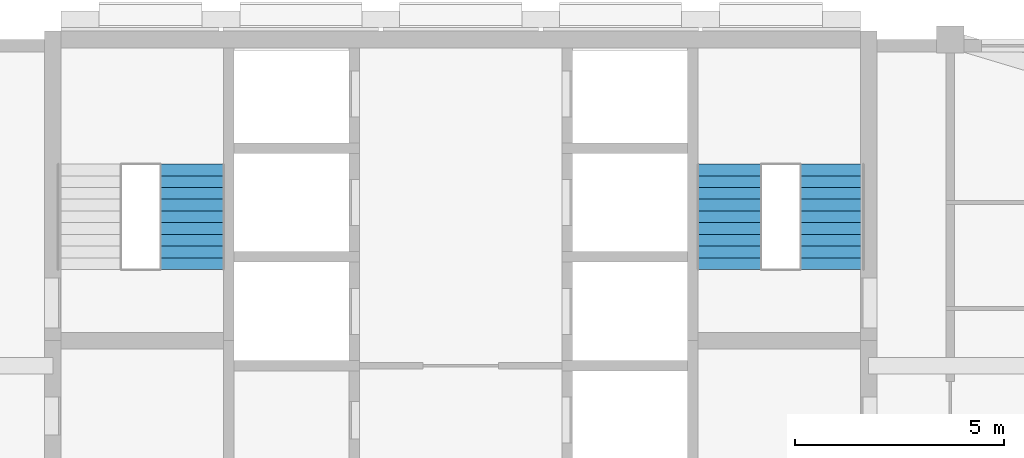
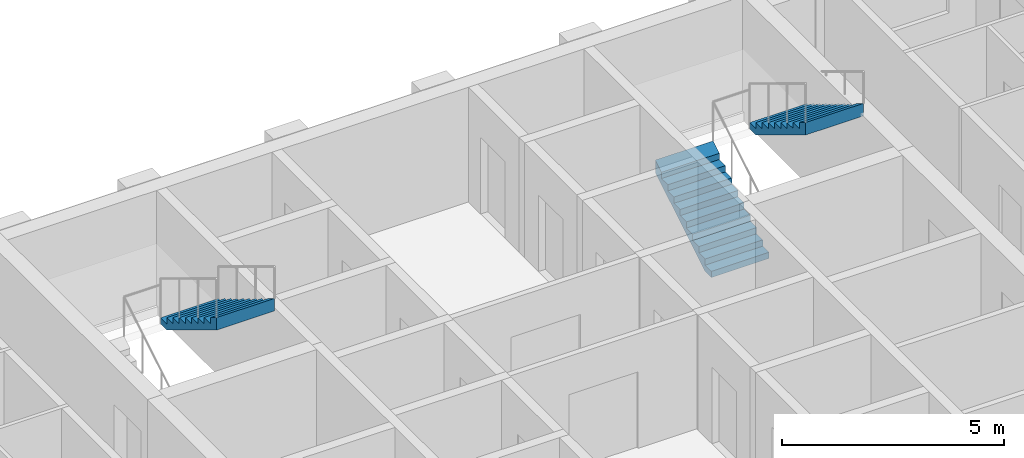
# One storey, part 11 of 13: 3 stair flights, 2 elements without a shape of their own.
"""IFC4 building model written with IfcOpenShell, lengths in metres."""

from ifc_helpers import new_model, si_unit, direction, frame, origin, place, context, subcontext, project, spatial, triangles, material, type_object, element, aggregate, save


model = new_model("IFC4")

# Units and contexts
model_context = context("Model", 3, precision=1e-05, world=origin(), true_north=direction((0.0, 1.0)))
body_context = subcontext(model_context, "Body", "Model", "MODEL_VIEW")
ifc_project = project(units=[si_unit("LENGTHUNIT", "METRE"), si_unit("AREAUNIT", "SQUARE_METRE"), si_unit("VOLUMEUNIT", "CUBIC_METRE"), si_unit("PLANEANGLEUNIT", "RADIAN"), si_unit("MASSUNIT", "GRAM", prefix="KILO")], contexts=[model_context])

# Site, building, storey
site_placement = place(None, origin())
site = spatial("IfcSite", under=ifc_project, at=site_placement, CompositionType="ELEMENT")
building_placement = place(site_placement, origin())
building = spatial("IfcBuilding", under=site, at=building_placement, Name="Ludao Terraces", CompositionType="ELEMENT")
storey_placement = place(building_placement, frame((0.0, 0.0, 249.39990234375)))
storey = spatial("IfcBuildingStorey", under=building, at=storey_placement, Name="L68", CompositionType="ELEMENT", Elevation=249.39990234375)

# Stair, stair flight
ifc_material = material(Name="Concrete C40", Category="concrete")
stair_type = type_object("IfcStairType", Name="INT Stair", PredefinedType="HALF_TURN_STAIR", material=ifc_material)
stair_1_placement = place(storey_placement, origin())
stair_1 = element("IfcStair", 1, at=stair_1_placement, inside=storey, type_object=stair_type, Name="EXIT STAIR 1", PredefinedType="HALF_TURN_STAIR")
stair_flight_type = type_object("IfcStairFlightType", Name="INT Stair flight", PredefinedType="STRAIGHT", material=ifc_material)
stair_flight_1_placement = place(storey_placement, frame((78.574951171875, 81.52001953125, 1.7001953125), z_axis=(0.0, 0.0, 1.0), x_axis=(0.0, -1.0, 0.0)))
stair_flight_1 = element("IfcStairFlight", 2, at=stair_flight_1_placement, type_object=stair_flight_type, Name="ST1 flight 2", NumberOfRisers=10, NumberOfTreads=9, PredefinedType="STRAIGHT", RiserHeight=0.17, TreadLength=0.28, context=body_context, shape_type="Tessellation", body=[
    triangles([(0.0, -0.75, 0.0), (0.0, -0.5, 0.0), (0.0, -0.25, 0.0), (0.0, 0.0, 0.0), (0.0, 0.25, 0.0), (0.0, 0.5, 0.0), (0.0, 0.75, 0.0), (0.0, -0.75, 0.169921875), (0.0, -0.5, 0.169921875), (0.0, -0.25, 0.169921875), (0.0, 0.0, 0.169921875), (0.0, 0.25, 0.169921875), (0.0, 0.5, 0.169921875), (0.0, 0.75, 0.169921875), (0.280029296875, -0.75, 0.169921875), (0.280029296875, -0.5, 0.169921875), (0.280029296875, -0.25, 0.169921875), (0.280029296875, 0.0, 0.169921875), (0.280029296875, 0.25, 0.169921875), (0.280029296875, 0.5, 0.169921875), (0.280029296875, 0.75, 0.169921875), (0.280029296875, -0.75, 0.340087890625), (0.280029296875, -0.5, 0.340087890625), (0.280029296875, -0.25, 0.340087890625), (0.280029296875, 0.0, 0.340087890625), (0.280029296875, 0.25, 0.340087890625), (0.280029296875, 0.5, 0.340087890625), (0.280029296875, 0.75, 0.340087890625), (0.56005859375, -0.75, 0.340087890625), (0.56005859375, -0.5, 0.340087890625), (0.56005859375, -0.25, 0.340087890625), (0.56005859375, 0.0, 0.340087890625), (0.56005859375, 0.25, 0.340087890625), (0.56005859375, 0.5, 0.340087890625), (0.56005859375, 0.75, 0.340087890625), (0.56005859375, -0.75, 0.510009765625), (0.56005859375, -0.5, 0.510009765625), (0.56005859375, -0.25, 0.510009765625), (0.56005859375, 0.0, 0.510009765625), (0.56005859375, 0.25, 0.510009765625), (0.56005859375, 0.5, 0.510009765625), (0.56005859375, 0.75, 0.510009765625), (0.840087890625, -0.75, 0.510009765625), (0.840087890625, -0.5, 0.510009765625), (0.840087890625, -0.25, 0.510009765625), (0.840087890625, 0.0, 0.510009765625), (0.840087890625, 0.25, 0.510009765625), (0.840087890625, 0.5, 0.510009765625), (0.840087890625, 0.75, 0.510009765625), (0.840087890625, -0.75, 0.679931640625), (0.840087890625, -0.5, 0.679931640625), (0.840087890625, -0.25, 0.679931640625), (0.840087890625, 0.0, 0.679931640625), (0.840087890625, 0.25, 0.679931640625), (0.840087890625, 0.5, 0.679931640625), (0.840087890625, 0.75, 0.679931640625), (1.1201171875, -0.75, 0.679931640625), (1.1201171875, -0.5, 0.679931640625), (1.1201171875, -0.25, 0.679931640625), (1.1201171875, 0.0, 0.679931640625), (1.1201171875, 0.25, 0.679931640625), (1.1201171875, 0.5, 0.679931640625), (1.1201171875, 0.75, 0.679931640625), (1.1201171875, -0.75, 0.85009765625), (1.1201171875, -0.5, 0.85009765625), (1.1201171875, -0.25, 0.85009765625), (1.1201171875, 0.0, 0.85009765625), (1.1201171875, 0.25, 0.85009765625), (1.1201171875, 0.5, 0.85009765625), (1.1201171875, 0.75, 0.85009765625), (1.39990234375, -0.75, 0.85009765625), (1.39990234375, -0.5, 0.85009765625), (1.39990234375, -0.25, 0.85009765625), (1.39990234375, 0.0, 0.85009765625), (1.39990234375, 0.25, 0.85009765625), (1.39990234375, 0.5, 0.85009765625), (1.39990234375, 0.75, 0.85009765625), (1.39990234375, -0.75, 1.02001953125), (1.39990234375, -0.5, 1.02001953125), (1.39990234375, -0.25, 1.02001953125), (1.39990234375, 0.0, 1.02001953125), (1.39990234375, 0.25, 1.02001953125), (1.39990234375, 0.5, 1.02001953125), (1.39990234375, 0.75, 1.02001953125), (1.679931640625, -0.75, 1.02001953125), (1.679931640625, -0.5, 1.02001953125), (1.679931640625, -0.25, 1.02001953125), (1.679931640625, 0.0, 1.02001953125), (1.679931640625, 0.25, 1.02001953125), (1.679931640625, 0.5, 1.02001953125), (1.679931640625, 0.75, 1.02001953125), (1.679931640625, -0.75, 1.18994140625), (1.679931640625, -0.5, 1.18994140625), (1.679931640625, -0.25, 1.18994140625), (1.679931640625, 0.0, 1.18994140625), (1.679931640625, 0.25, 1.18994140625), (1.679931640625, 0.5, 1.18994140625), (1.679931640625, 0.75, 1.18994140625), (1.9599609375, -0.75, 1.18994140625), (1.9599609375, -0.5, 1.18994140625), (1.9599609375, -0.25, 1.18994140625), (1.9599609375, 0.0, 1.18994140625), (1.9599609375, 0.25, 1.18994140625), (1.9599609375, 0.5, 1.18994140625), (1.9599609375, 0.75, 1.18994140625), (1.9599609375, -0.75, 1.360107421875), (1.9599609375, -0.5, 1.360107421875), (1.9599609375, -0.25, 1.360107421875), (1.9599609375, 0.0, 1.360107421875), (1.9599609375, 0.25, 1.360107421875), (1.9599609375, 0.5, 1.360107421875), (1.9599609375, 0.75, 1.360107421875), (2.239990234375, -0.75, 1.360107421875), (2.239990234375, -0.5, 1.360107421875), (2.239990234375, -0.25, 1.360107421875), (2.239990234375, 0.0, 1.360107421875), (2.239990234375, 0.25, 1.360107421875), (2.239990234375, 0.5, 1.360107421875), (2.239990234375, 0.75, 1.360107421875), (2.239990234375, -0.75, 1.530029296875), (2.239990234375, -0.5, 1.530029296875), (2.239990234375, -0.25, 1.530029296875), (2.239990234375, 0.0, 1.530029296875), (2.239990234375, 0.25, 1.530029296875), (2.239990234375, 0.5, 1.530029296875), (2.239990234375, 0.75, 1.530029296875), (2.52001953125, -0.75, 1.699951171875), (2.52001953125, -0.5, 1.699951171875), (2.52001953125, -0.25, 1.699951171875), (2.52001953125, 0.0, 1.699951171875), (2.52001953125, 0.25, 1.699951171875), (2.52001953125, 0.5, 1.699951171875), (2.52001953125, 0.75, 1.699951171875), (2.52001953125, -0.75, 1.354736328125), (2.52001953125, -0.5, 1.354736328125), (2.52001953125, -0.25, 1.354736328125), (2.52001953125, 0.0, 1.354736328125), (2.52001953125, 0.25, 1.354736328125), (2.52001953125, 0.5, 1.354736328125), (2.52001953125, 0.75, 1.354736328125), (0.288818359375, -0.75, 0.0), (0.288818359375, -0.5, 0.0), (0.288818359375, -0.25, 0.0), (0.288818359375, 0.0, 0.0), (0.288818359375, 0.25, 0.0), (0.288818359375, 0.5, 0.0), (0.288818359375, 0.75, 0.0)], [[1, 141, 134], [7, 140, 147], [134, 127, 120], [140, 126, 133], [134, 120, 113], [140, 119, 126], [134, 113, 106], [140, 112, 119], [134, 106, 99], [140, 105, 112], [99, 92, 85], [105, 91, 98], [134, 99, 85], [140, 91, 105], [85, 78, 71], [91, 77, 84], [134, 85, 71], [140, 77, 91], [71, 64, 57], [77, 63, 70], [134, 71, 57], [140, 63, 77], [57, 50, 43], [63, 49, 56], [134, 57, 43], [140, 49, 63], [43, 36, 29], [49, 35, 42], [134, 43, 29], [140, 35, 49], [29, 22, 15], [35, 21, 28], [134, 29, 15], [140, 21, 35], [1, 134, 15], [7, 21, 140], [15, 8, 1], [21, 7, 14], [1, 9, 2], [1, 8, 9], [2, 10, 3], [2, 9, 10], [3, 11, 4], [3, 10, 11], [4, 12, 5], [4, 11, 12], [5, 13, 6], [5, 12, 13], [6, 14, 7], [6, 13, 14], [8, 16, 9], [8, 15, 16], [9, 17, 10], [9, 16, 17], [10, 18, 11], [10, 17, 18], [11, 19, 12], [11, 18, 19], [12, 20, 13], [12, 19, 20], [13, 21, 14], [13, 20, 21], [15, 23, 16], [15, 22, 23], [16, 24, 17], [16, 23, 24], [17, 25, 18], [17, 24, 25], [18, 26, 19], [18, 25, 26], [19, 27, 20], [19, 26, 27], [20, 28, 21], [20, 27, 28], [22, 30, 23], [22, 29, 30], [23, 31, 24], [23, 30, 31], [24, 32, 25], [24, 31, 32], [25, 33, 26], [25, 32, 33], [26, 34, 27], [26, 33, 34], [27, 35, 28], [27, 34, 35], [29, 37, 30], [29, 36, 37], [30, 38, 31], [30, 37, 38], [31, 39, 32], [31, 38, 39], [32, 40, 33], [32, 39, 40], [33, 41, 34], [33, 40, 41], [34, 42, 35], [34, 41, 42], [36, 44, 37], [36, 43, 44], [37, 45, 38], [37, 44, 45], [38, 46, 39], [38, 45, 46], [39, 47, 40], [39, 46, 47], [40, 48, 41], [40, 47, 48], [41, 49, 42], [41, 48, 49], [43, 51, 44], [43, 50, 51], [44, 52, 45], [44, 51, 52], [45, 53, 46], [45, 52, 53], [46, 54, 47], [46, 53, 54], [47, 55, 48], [47, 54, 55], [48, 56, 49], [48, 55, 56], [50, 58, 51], [50, 57, 58], [51, 59, 52], [51, 58, 59], [52, 60, 53], [52, 59, 60], [53, 61, 54], [53, 60, 61], [54, 62, 55], [54, 61, 62], [55, 63, 56], [55, 62, 63], [57, 65, 58], [57, 64, 65], [58, 66, 59], [58, 65, 66], [59, 67, 60], [59, 66, 67], [60, 68, 61], [60, 67, 68], [61, 69, 62], [61, 68, 69], [62, 70, 63], [62, 69, 70], [64, 72, 65], [64, 71, 72], [65, 73, 66], [65, 72, 73], [66, 74, 67], [66, 73, 74], [67, 75, 68], [67, 74, 75], [68, 76, 69], [68, 75, 76], [69, 77, 70], [69, 76, 77], [71, 79, 72], [71, 78, 79], [72, 80, 73], [72, 79, 80], [73, 81, 74], [73, 80, 81], [74, 82, 75], [74, 81, 82], [75, 83, 76], [75, 82, 83], [76, 84, 77], [76, 83, 84], [78, 86, 79], [78, 85, 86], [79, 87, 80], [79, 86, 87], [80, 88, 81], [80, 87, 88], [81, 89, 82], [81, 88, 89], [82, 90, 83], [82, 89, 90], [83, 91, 84], [83, 90, 91], [85, 93, 86], [85, 92, 93], [86, 94, 87], [86, 93, 94], [87, 95, 88], [87, 94, 95], [88, 96, 89], [88, 95, 96], [89, 97, 90], [89, 96, 97], [90, 98, 91], [90, 97, 98], [92, 100, 93], [92, 99, 100], [93, 101, 94], [93, 100, 101], [94, 102, 95], [94, 101, 102], [95, 103, 96], [95, 102, 103], [96, 104, 97], [96, 103, 104], [97, 105, 98], [97, 104, 105], [99, 107, 100], [99, 106, 107], [100, 108, 101], [100, 107, 108], [101, 109, 102], [101, 108, 109], [102, 110, 103], [102, 109, 110], [103, 111, 104], [103, 110, 111], [104, 112, 105], [104, 111, 112], [106, 114, 107], [106, 113, 114], [107, 115, 108], [107, 114, 115], [108, 116, 109], [108, 115, 116], [109, 117, 110], [109, 116, 117], [110, 118, 111], [110, 117, 118], [111, 119, 112], [111, 118, 119], [113, 121, 114], [113, 120, 121], [114, 122, 115], [114, 121, 122], [115, 123, 116], [115, 122, 123], [116, 124, 117], [116, 123, 124], [117, 125, 118], [117, 124, 125], [118, 126, 119], [118, 125, 126], [120, 128, 121], [120, 127, 128], [121, 129, 122], [121, 128, 129], [122, 130, 123], [122, 129, 130], [123, 131, 124], [123, 130, 131], [124, 132, 125], [124, 131, 132], [125, 133, 126], [125, 132, 133], [127, 135, 128], [127, 134, 135], [128, 136, 129], [128, 135, 136], [129, 137, 130], [129, 136, 137], [130, 138, 131], [130, 137, 138], [131, 139, 132], [131, 138, 139], [132, 140, 133], [132, 139, 140], [134, 142, 135], [134, 141, 142], [135, 143, 136], [135, 142, 143], [136, 144, 137], [136, 143, 144], [137, 145, 138], [137, 144, 145], [138, 146, 139], [138, 145, 146], [139, 147, 140], [139, 146, 147], [141, 2, 142], [141, 1, 2], [142, 3, 143], [142, 2, 3], [143, 4, 144], [143, 3, 4], [144, 5, 145], [144, 4, 5], [145, 6, 146], [145, 5, 6], [146, 7, 147], [146, 6, 7]], closed=True),
])
aggregate(stair_1, [stair_flight_1])

# Stair, stair flights
stair_2_placement = place(storey_placement, origin())
stair_2 = element("IfcStair", 3, at=stair_2_placement, inside=storey, type_object=stair_type, Name="EXIT STAIR 2", PredefinedType="HALF_TURN_STAIR")
stair_flight_2_placement = place(storey_placement, frame((91.425048828125, 79.0, 0.0), z_axis=(0.0, 0.0, 1.0), x_axis=(0.0, 1.0, 0.0)))
stair_flight_2 = element("IfcStairFlight", 4, at=stair_flight_2_placement, type_object=stair_flight_type, Name="ST2 flight 1", NumberOfRisers=10, NumberOfTreads=9, PredefinedType="STRAIGHT", RiserHeight=0.17, TreadLength=0.28, context=body_context, shape_type="Tessellation", body=[
    triangles([(0.0, -0.75, 0.0), (0.0, -0.5, 0.0), (0.0, -0.25, 0.0), (0.0, 0.0, 0.0), (0.0, 0.25, 0.0), (0.0, 0.5, 0.0), (0.0, 0.75, 0.0), (0.0, -0.75, 0.169921875), (0.0, -0.5, 0.169921875), (0.0, -0.25, 0.169921875), (0.0, 0.0, 0.169921875), (0.0, 0.25, 0.169921875), (0.0, 0.5, 0.169921875), (0.0, 0.75, 0.169921875), (0.280029296875, -0.75, 0.169921875), (0.280029296875, -0.5, 0.169921875), (0.280029296875, -0.25, 0.169921875), (0.280029296875, 0.0, 0.169921875), (0.280029296875, 0.25, 0.169921875), (0.280029296875, 0.5, 0.169921875), (0.280029296875, 0.75, 0.169921875), (0.280029296875, -0.75, 0.340087890625), (0.280029296875, -0.5, 0.340087890625), (0.280029296875, -0.25, 0.340087890625), (0.280029296875, 0.0, 0.340087890625), (0.280029296875, 0.25, 0.340087890625), (0.280029296875, 0.5, 0.340087890625), (0.280029296875, 0.75, 0.340087890625), (0.56005859375, -0.75, 0.340087890625), (0.56005859375, -0.5, 0.340087890625), (0.56005859375, -0.25, 0.340087890625), (0.56005859375, 0.0, 0.340087890625), (0.56005859375, 0.25, 0.340087890625), (0.56005859375, 0.5, 0.340087890625), (0.56005859375, 0.75, 0.340087890625), (0.56005859375, -0.75, 0.510009765625), (0.56005859375, -0.5, 0.510009765625), (0.56005859375, -0.25, 0.510009765625), (0.56005859375, 0.0, 0.510009765625), (0.56005859375, 0.25, 0.510009765625), (0.56005859375, 0.5, 0.510009765625), (0.56005859375, 0.75, 0.510009765625), (0.840087890625, -0.75, 0.510009765625), (0.840087890625, -0.5, 0.510009765625), (0.840087890625, -0.25, 0.510009765625), (0.840087890625, 0.0, 0.510009765625), (0.840087890625, 0.25, 0.510009765625), (0.840087890625, 0.5, 0.510009765625), (0.840087890625, 0.75, 0.510009765625), (0.840087890625, -0.75, 0.679931640625), (0.840087890625, -0.5, 0.679931640625), (0.840087890625, -0.25, 0.679931640625), (0.840087890625, 0.0, 0.679931640625), (0.840087890625, 0.25, 0.679931640625), (0.840087890625, 0.5, 0.679931640625), (0.840087890625, 0.75, 0.679931640625), (1.1201171875, -0.75, 0.679931640625), (1.1201171875, -0.5, 0.679931640625), (1.1201171875, -0.25, 0.679931640625), (1.1201171875, 0.0, 0.679931640625), (1.1201171875, 0.25, 0.679931640625), (1.1201171875, 0.5, 0.679931640625), (1.1201171875, 0.75, 0.679931640625), (1.1201171875, -0.75, 0.85009765625), (1.1201171875, -0.5, 0.85009765625), (1.1201171875, -0.25, 0.85009765625), (1.1201171875, 0.0, 0.85009765625), (1.1201171875, 0.25, 0.85009765625), (1.1201171875, 0.5, 0.85009765625), (1.1201171875, 0.75, 0.85009765625), (1.39990234375, -0.75, 0.85009765625), (1.39990234375, -0.5, 0.85009765625), (1.39990234375, -0.25, 0.85009765625), (1.39990234375, 0.0, 0.85009765625), (1.39990234375, 0.25, 0.85009765625), (1.39990234375, 0.5, 0.85009765625), (1.39990234375, 0.75, 0.85009765625), (1.39990234375, -0.75, 1.02001953125), (1.39990234375, -0.5, 1.02001953125), (1.39990234375, -0.25, 1.02001953125), (1.39990234375, 0.0, 1.02001953125), (1.39990234375, 0.25, 1.02001953125), (1.39990234375, 0.5, 1.02001953125), (1.39990234375, 0.75, 1.02001953125), (1.679931640625, -0.75, 1.02001953125), (1.679931640625, -0.5, 1.02001953125), (1.679931640625, -0.25, 1.02001953125), (1.679931640625, 0.0, 1.02001953125), (1.679931640625, 0.25, 1.02001953125), (1.679931640625, 0.5, 1.02001953125), (1.679931640625, 0.75, 1.02001953125), (1.679931640625, -0.75, 1.18994140625), (1.679931640625, -0.5, 1.18994140625), (1.679931640625, -0.25, 1.18994140625), (1.679931640625, 0.0, 1.18994140625), (1.679931640625, 0.25, 1.18994140625), (1.679931640625, 0.5, 1.18994140625), (1.679931640625, 0.75, 1.18994140625), (1.9599609375, -0.75, 1.18994140625), (1.9599609375, -0.5, 1.18994140625), (1.9599609375, -0.25, 1.18994140625), (1.9599609375, 0.0, 1.18994140625), (1.9599609375, 0.25, 1.18994140625), (1.9599609375, 0.5, 1.18994140625), (1.9599609375, 0.75, 1.18994140625), (1.9599609375, -0.75, 1.360107421875), (1.9599609375, -0.5, 1.360107421875), (1.9599609375, -0.25, 1.360107421875), (1.9599609375, 0.0, 1.360107421875), (1.9599609375, 0.25, 1.360107421875), (1.9599609375, 0.5, 1.360107421875), (1.9599609375, 0.75, 1.360107421875), (2.239990234375, -0.75, 1.360107421875), (2.239990234375, -0.5, 1.360107421875), (2.239990234375, -0.25, 1.360107421875), (2.239990234375, 0.0, 1.360107421875), (2.239990234375, 0.25, 1.360107421875), (2.239990234375, 0.5, 1.360107421875), (2.239990234375, 0.75, 1.360107421875), (2.239990234375, -0.75, 1.530029296875), (2.239990234375, -0.5, 1.530029296875), (2.239990234375, -0.25, 1.530029296875), (2.239990234375, 0.0, 1.530029296875), (2.239990234375, 0.25, 1.530029296875), (2.239990234375, 0.5, 1.530029296875), (2.239990234375, 0.75, 1.530029296875), (2.52001953125, -0.75, 1.699951171875), (2.52001953125, -0.5, 1.699951171875), (2.52001953125, -0.25, 1.699951171875), (2.52001953125, 0.0, 1.699951171875), (2.52001953125, 0.25, 1.699951171875), (2.52001953125, 0.5, 1.699951171875), (2.52001953125, 0.75, 1.699951171875), (2.52001953125, -0.75, 1.354736328125), (2.52001953125, -0.5, 1.354736328125), (2.52001953125, -0.25, 1.354736328125), (2.52001953125, 0.0, 1.354736328125), (2.52001953125, 0.25, 1.354736328125), (2.52001953125, 0.5, 1.354736328125), (2.52001953125, 0.75, 1.354736328125), (0.288818359375, -0.75, 0.0), (0.288818359375, -0.5, 0.0), (0.288818359375, -0.25, 0.0), (0.288818359375, 0.0, 0.0), (0.288818359375, 0.25, 0.0), (0.288818359375, 0.5, 0.0), (0.288818359375, 0.75, 0.0)], [[1, 141, 134], [7, 140, 147], [134, 127, 120], [140, 126, 133], [134, 120, 113], [140, 119, 126], [134, 113, 106], [140, 112, 119], [134, 106, 99], [140, 105, 112], [99, 92, 85], [105, 91, 98], [134, 99, 85], [140, 91, 105], [85, 78, 71], [91, 77, 84], [134, 85, 71], [140, 77, 91], [71, 64, 57], [77, 63, 70], [134, 71, 57], [140, 63, 77], [57, 50, 43], [63, 49, 56], [134, 57, 43], [140, 49, 63], [43, 36, 29], [49, 35, 42], [134, 43, 29], [140, 35, 49], [29, 22, 15], [35, 21, 28], [134, 29, 15], [140, 21, 35], [1, 134, 15], [7, 21, 140], [15, 8, 1], [21, 7, 14], [1, 9, 2], [1, 8, 9], [2, 10, 3], [2, 9, 10], [3, 11, 4], [3, 10, 11], [4, 12, 5], [4, 11, 12], [5, 13, 6], [5, 12, 13], [6, 14, 7], [6, 13, 14], [8, 16, 9], [8, 15, 16], [9, 17, 10], [9, 16, 17], [10, 18, 11], [10, 17, 18], [11, 19, 12], [11, 18, 19], [12, 20, 13], [12, 19, 20], [13, 21, 14], [13, 20, 21], [15, 23, 16], [15, 22, 23], [16, 24, 17], [16, 23, 24], [17, 25, 18], [17, 24, 25], [18, 26, 19], [18, 25, 26], [19, 27, 20], [19, 26, 27], [20, 28, 21], [20, 27, 28], [22, 30, 23], [22, 29, 30], [23, 31, 24], [23, 30, 31], [24, 32, 25], [24, 31, 32], [25, 33, 26], [25, 32, 33], [26, 34, 27], [26, 33, 34], [27, 35, 28], [27, 34, 35], [29, 37, 30], [29, 36, 37], [30, 38, 31], [30, 37, 38], [31, 39, 32], [31, 38, 39], [32, 40, 33], [32, 39, 40], [33, 41, 34], [33, 40, 41], [34, 42, 35], [34, 41, 42], [36, 44, 37], [36, 43, 44], [37, 45, 38], [37, 44, 45], [38, 46, 39], [38, 45, 46], [39, 47, 40], [39, 46, 47], [40, 48, 41], [40, 47, 48], [41, 49, 42], [41, 48, 49], [43, 51, 44], [43, 50, 51], [44, 52, 45], [44, 51, 52], [45, 53, 46], [45, 52, 53], [46, 54, 47], [46, 53, 54], [47, 55, 48], [47, 54, 55], [48, 56, 49], [48, 55, 56], [50, 58, 51], [50, 57, 58], [51, 59, 52], [51, 58, 59], [52, 60, 53], [52, 59, 60], [53, 61, 54], [53, 60, 61], [54, 62, 55], [54, 61, 62], [55, 63, 56], [55, 62, 63], [57, 65, 58], [57, 64, 65], [58, 66, 59], [58, 65, 66], [59, 67, 60], [59, 66, 67], [60, 68, 61], [60, 67, 68], [61, 69, 62], [61, 68, 69], [62, 70, 63], [62, 69, 70], [64, 72, 65], [64, 71, 72], [65, 73, 66], [65, 72, 73], [66, 74, 67], [66, 73, 74], [67, 75, 68], [67, 74, 75], [68, 76, 69], [68, 75, 76], [69, 77, 70], [69, 76, 77], [71, 79, 72], [71, 78, 79], [72, 80, 73], [72, 79, 80], [73, 81, 74], [73, 80, 81], [74, 82, 75], [74, 81, 82], [75, 83, 76], [75, 82, 83], [76, 84, 77], [76, 83, 84], [78, 86, 79], [78, 85, 86], [79, 87, 80], [79, 86, 87], [80, 88, 81], [80, 87, 88], [81, 89, 82], [81, 88, 89], [82, 90, 83], [82, 89, 90], [83, 91, 84], [83, 90, 91], [85, 93, 86], [85, 92, 93], [86, 94, 87], [86, 93, 94], [87, 95, 88], [87, 94, 95], [88, 96, 89], [88, 95, 96], [89, 97, 90], [89, 96, 97], [90, 98, 91], [90, 97, 98], [92, 100, 93], [92, 99, 100], [93, 101, 94], [93, 100, 101], [94, 102, 95], [94, 101, 102], [95, 103, 96], [95, 102, 103], [96, 104, 97], [96, 103, 104], [97, 105, 98], [97, 104, 105], [99, 107, 100], [99, 106, 107], [100, 108, 101], [100, 107, 108], [101, 109, 102], [101, 108, 109], [102, 110, 103], [102, 109, 110], [103, 111, 104], [103, 110, 111], [104, 112, 105], [104, 111, 112], [106, 114, 107], [106, 113, 114], [107, 115, 108], [107, 114, 115], [108, 116, 109], [108, 115, 116], [109, 117, 110], [109, 116, 117], [110, 118, 111], [110, 117, 118], [111, 119, 112], [111, 118, 119], [113, 121, 114], [113, 120, 121], [114, 122, 115], [114, 121, 122], [115, 123, 116], [115, 122, 123], [116, 124, 117], [116, 123, 124], [117, 125, 118], [117, 124, 125], [118, 126, 119], [118, 125, 126], [120, 128, 121], [120, 127, 128], [121, 129, 122], [121, 128, 129], [122, 130, 123], [122, 129, 130], [123, 131, 124], [123, 130, 131], [124, 132, 125], [124, 131, 132], [125, 133, 126], [125, 132, 133], [127, 135, 128], [127, 134, 135], [128, 136, 129], [128, 135, 136], [129, 137, 130], [129, 136, 137], [130, 138, 131], [130, 137, 138], [131, 139, 132], [131, 138, 139], [132, 140, 133], [132, 139, 140], [134, 142, 135], [134, 141, 142], [135, 143, 136], [135, 142, 143], [136, 144, 137], [136, 143, 144], [137, 145, 138], [137, 144, 145], [138, 146, 139], [138, 145, 146], [139, 147, 140], [139, 146, 147], [141, 2, 142], [141, 1, 2], [142, 3, 143], [142, 2, 3], [143, 4, 144], [143, 3, 4], [144, 5, 145], [144, 4, 5], [145, 6, 146], [145, 5, 6], [146, 7, 147], [146, 6, 7]], closed=True),
])
stair_flight_3_placement = place(storey_placement, frame((93.875, 81.52001953125, 1.7001953125), z_axis=(0.0, 0.0, 1.0), x_axis=(0.0, -1.0, 0.0)))
stair_flight_3 = element("IfcStairFlight", 5, at=stair_flight_3_placement, type_object=stair_flight_type, Name="ST2 flight 2", NumberOfRisers=10, NumberOfTreads=9, PredefinedType="STRAIGHT", RiserHeight=0.17, TreadLength=0.28, context=body_context, shape_type="Tessellation", body=[
    triangles([(0.0, -0.75, 0.0), (0.0, -0.5, 0.0), (0.0, -0.25, 0.0), (0.0, 0.0, 0.0), (0.0, 0.25, 0.0), (0.0, 0.5, 0.0), (0.0, 0.75, 0.0), (0.0, -0.75, 0.169921875), (0.0, -0.5, 0.169921875), (0.0, -0.25, 0.169921875), (0.0, 0.0, 0.169921875), (0.0, 0.25, 0.169921875), (0.0, 0.5, 0.169921875), (0.0, 0.75, 0.169921875), (0.280029296875, -0.75, 0.169921875), (0.280029296875, -0.5, 0.169921875), (0.280029296875, -0.25, 0.169921875), (0.280029296875, 0.0, 0.169921875), (0.280029296875, 0.25, 0.169921875), (0.280029296875, 0.5, 0.169921875), (0.280029296875, 0.75, 0.169921875), (0.280029296875, -0.75, 0.340087890625), (0.280029296875, -0.5, 0.340087890625), (0.280029296875, -0.25, 0.340087890625), (0.280029296875, 0.0, 0.340087890625), (0.280029296875, 0.25, 0.340087890625), (0.280029296875, 0.5, 0.340087890625), (0.280029296875, 0.75, 0.340087890625), (0.56005859375, -0.75, 0.340087890625), (0.56005859375, -0.5, 0.340087890625), (0.56005859375, -0.25, 0.340087890625), (0.56005859375, 0.0, 0.340087890625), (0.56005859375, 0.25, 0.340087890625), (0.56005859375, 0.5, 0.340087890625), (0.56005859375, 0.75, 0.340087890625), (0.56005859375, -0.75, 0.510009765625), (0.56005859375, -0.5, 0.510009765625), (0.56005859375, -0.25, 0.510009765625), (0.56005859375, 0.0, 0.510009765625), (0.56005859375, 0.25, 0.510009765625), (0.56005859375, 0.5, 0.510009765625), (0.56005859375, 0.75, 0.510009765625), (0.840087890625, -0.75, 0.510009765625), (0.840087890625, -0.5, 0.510009765625), (0.840087890625, -0.25, 0.510009765625), (0.840087890625, 0.0, 0.510009765625), (0.840087890625, 0.25, 0.510009765625), (0.840087890625, 0.5, 0.510009765625), (0.840087890625, 0.75, 0.510009765625), (0.840087890625, -0.75, 0.679931640625), (0.840087890625, -0.5, 0.679931640625), (0.840087890625, -0.25, 0.679931640625), (0.840087890625, 0.0, 0.679931640625), (0.840087890625, 0.25, 0.679931640625), (0.840087890625, 0.5, 0.679931640625), (0.840087890625, 0.75, 0.679931640625), (1.1201171875, -0.75, 0.679931640625), (1.1201171875, -0.5, 0.679931640625), (1.1201171875, -0.25, 0.679931640625), (1.1201171875, 0.0, 0.679931640625), (1.1201171875, 0.25, 0.679931640625), (1.1201171875, 0.5, 0.679931640625), (1.1201171875, 0.75, 0.679931640625), (1.1201171875, -0.75, 0.85009765625), (1.1201171875, -0.5, 0.85009765625), (1.1201171875, -0.25, 0.85009765625), (1.1201171875, 0.0, 0.85009765625), (1.1201171875, 0.25, 0.85009765625), (1.1201171875, 0.5, 0.85009765625), (1.1201171875, 0.75, 0.85009765625), (1.39990234375, -0.75, 0.85009765625), (1.39990234375, -0.5, 0.85009765625), (1.39990234375, -0.25, 0.85009765625), (1.39990234375, 0.0, 0.85009765625), (1.39990234375, 0.25, 0.85009765625), (1.39990234375, 0.5, 0.85009765625), (1.39990234375, 0.75, 0.85009765625), (1.39990234375, -0.75, 1.02001953125), (1.39990234375, -0.5, 1.02001953125), (1.39990234375, -0.25, 1.02001953125), (1.39990234375, 0.0, 1.02001953125), (1.39990234375, 0.25, 1.02001953125), (1.39990234375, 0.5, 1.02001953125), (1.39990234375, 0.75, 1.02001953125), (1.679931640625, -0.75, 1.02001953125), (1.679931640625, -0.5, 1.02001953125), (1.679931640625, -0.25, 1.02001953125), (1.679931640625, 0.0, 1.02001953125), (1.679931640625, 0.25, 1.02001953125), (1.679931640625, 0.5, 1.02001953125), (1.679931640625, 0.75, 1.02001953125), (1.679931640625, -0.75, 1.18994140625), (1.679931640625, -0.5, 1.18994140625), (1.679931640625, -0.25, 1.18994140625), (1.679931640625, 0.0, 1.18994140625), (1.679931640625, 0.25, 1.18994140625), (1.679931640625, 0.5, 1.18994140625), (1.679931640625, 0.75, 1.18994140625), (1.9599609375, -0.75, 1.18994140625), (1.9599609375, -0.5, 1.18994140625), (1.9599609375, -0.25, 1.18994140625), (1.9599609375, 0.0, 1.18994140625), (1.9599609375, 0.25, 1.18994140625), (1.9599609375, 0.5, 1.18994140625), (1.9599609375, 0.75, 1.18994140625), (1.9599609375, -0.75, 1.360107421875), (1.9599609375, -0.5, 1.360107421875), (1.9599609375, -0.25, 1.360107421875), (1.9599609375, 0.0, 1.360107421875), (1.9599609375, 0.25, 1.360107421875), (1.9599609375, 0.5, 1.360107421875), (1.9599609375, 0.75, 1.360107421875), (2.239990234375, -0.75, 1.360107421875), (2.239990234375, -0.5, 1.360107421875), (2.239990234375, -0.25, 1.360107421875), (2.239990234375, 0.0, 1.360107421875), (2.239990234375, 0.25, 1.360107421875), (2.239990234375, 0.5, 1.360107421875), (2.239990234375, 0.75, 1.360107421875), (2.239990234375, -0.75, 1.530029296875), (2.239990234375, -0.5, 1.530029296875), (2.239990234375, -0.25, 1.530029296875), (2.239990234375, 0.0, 1.530029296875), (2.239990234375, 0.25, 1.530029296875), (2.239990234375, 0.5, 1.530029296875), (2.239990234375, 0.75, 1.530029296875), (2.52001953125, -0.75, 1.699951171875), (2.52001953125, -0.5, 1.699951171875), (2.52001953125, -0.25, 1.699951171875), (2.52001953125, 0.0, 1.699951171875), (2.52001953125, 0.25, 1.699951171875), (2.52001953125, 0.5, 1.699951171875), (2.52001953125, 0.75, 1.699951171875), (2.52001953125, -0.75, 1.354736328125), (2.52001953125, -0.5, 1.354736328125), (2.52001953125, -0.25, 1.354736328125), (2.52001953125, 0.0, 1.354736328125), (2.52001953125, 0.25, 1.354736328125), (2.52001953125, 0.5, 1.354736328125), (2.52001953125, 0.75, 1.354736328125), (0.288818359375, -0.75, 0.0), (0.288818359375, -0.5, 0.0), (0.288818359375, -0.25, 0.0), (0.288818359375, 0.0, 0.0), (0.288818359375, 0.25, 0.0), (0.288818359375, 0.5, 0.0), (0.288818359375, 0.75, 0.0)], [[1, 141, 134], [7, 140, 147], [134, 127, 120], [140, 126, 133], [134, 120, 113], [140, 119, 126], [134, 113, 106], [140, 112, 119], [134, 106, 99], [140, 105, 112], [99, 92, 85], [105, 91, 98], [134, 99, 85], [140, 91, 105], [85, 78, 71], [91, 77, 84], [134, 85, 71], [140, 77, 91], [71, 64, 57], [77, 63, 70], [134, 71, 57], [140, 63, 77], [57, 50, 43], [63, 49, 56], [134, 57, 43], [140, 49, 63], [43, 36, 29], [49, 35, 42], [134, 43, 29], [140, 35, 49], [29, 22, 15], [35, 21, 28], [134, 29, 15], [140, 21, 35], [1, 134, 15], [7, 21, 140], [15, 8, 1], [21, 7, 14], [1, 9, 2], [1, 8, 9], [2, 10, 3], [2, 9, 10], [3, 11, 4], [3, 10, 11], [4, 12, 5], [4, 11, 12], [5, 13, 6], [5, 12, 13], [6, 14, 7], [6, 13, 14], [8, 16, 9], [8, 15, 16], [9, 17, 10], [9, 16, 17], [10, 18, 11], [10, 17, 18], [11, 19, 12], [11, 18, 19], [12, 20, 13], [12, 19, 20], [13, 21, 14], [13, 20, 21], [15, 23, 16], [15, 22, 23], [16, 24, 17], [16, 23, 24], [17, 25, 18], [17, 24, 25], [18, 26, 19], [18, 25, 26], [19, 27, 20], [19, 26, 27], [20, 28, 21], [20, 27, 28], [22, 30, 23], [22, 29, 30], [23, 31, 24], [23, 30, 31], [24, 32, 25], [24, 31, 32], [25, 33, 26], [25, 32, 33], [26, 34, 27], [26, 33, 34], [27, 35, 28], [27, 34, 35], [29, 37, 30], [29, 36, 37], [30, 38, 31], [30, 37, 38], [31, 39, 32], [31, 38, 39], [32, 40, 33], [32, 39, 40], [33, 41, 34], [33, 40, 41], [34, 42, 35], [34, 41, 42], [36, 44, 37], [36, 43, 44], [37, 45, 38], [37, 44, 45], [38, 46, 39], [38, 45, 46], [39, 47, 40], [39, 46, 47], [40, 48, 41], [40, 47, 48], [41, 49, 42], [41, 48, 49], [43, 51, 44], [43, 50, 51], [44, 52, 45], [44, 51, 52], [45, 53, 46], [45, 52, 53], [46, 54, 47], [46, 53, 54], [47, 55, 48], [47, 54, 55], [48, 56, 49], [48, 55, 56], [50, 58, 51], [50, 57, 58], [51, 59, 52], [51, 58, 59], [52, 60, 53], [52, 59, 60], [53, 61, 54], [53, 60, 61], [54, 62, 55], [54, 61, 62], [55, 63, 56], [55, 62, 63], [57, 65, 58], [57, 64, 65], [58, 66, 59], [58, 65, 66], [59, 67, 60], [59, 66, 67], [60, 68, 61], [60, 67, 68], [61, 69, 62], [61, 68, 69], [62, 70, 63], [62, 69, 70], [64, 72, 65], [64, 71, 72], [65, 73, 66], [65, 72, 73], [66, 74, 67], [66, 73, 74], [67, 75, 68], [67, 74, 75], [68, 76, 69], [68, 75, 76], [69, 77, 70], [69, 76, 77], [71, 79, 72], [71, 78, 79], [72, 80, 73], [72, 79, 80], [73, 81, 74], [73, 80, 81], [74, 82, 75], [74, 81, 82], [75, 83, 76], [75, 82, 83], [76, 84, 77], [76, 83, 84], [78, 86, 79], [78, 85, 86], [79, 87, 80], [79, 86, 87], [80, 88, 81], [80, 87, 88], [81, 89, 82], [81, 88, 89], [82, 90, 83], [82, 89, 90], [83, 91, 84], [83, 90, 91], [85, 93, 86], [85, 92, 93], [86, 94, 87], [86, 93, 94], [87, 95, 88], [87, 94, 95], [88, 96, 89], [88, 95, 96], [89, 97, 90], [89, 96, 97], [90, 98, 91], [90, 97, 98], [92, 100, 93], [92, 99, 100], [93, 101, 94], [93, 100, 101], [94, 102, 95], [94, 101, 102], [95, 103, 96], [95, 102, 103], [96, 104, 97], [96, 103, 104], [97, 105, 98], [97, 104, 105], [99, 107, 100], [99, 106, 107], [100, 108, 101], [100, 107, 108], [101, 109, 102], [101, 108, 109], [102, 110, 103], [102, 109, 110], [103, 111, 104], [103, 110, 111], [104, 112, 105], [104, 111, 112], [106, 114, 107], [106, 113, 114], [107, 115, 108], [107, 114, 115], [108, 116, 109], [108, 115, 116], [109, 117, 110], [109, 116, 117], [110, 118, 111], [110, 117, 118], [111, 119, 112], [111, 118, 119], [113, 121, 114], [113, 120, 121], [114, 122, 115], [114, 121, 122], [115, 123, 116], [115, 122, 123], [116, 124, 117], [116, 123, 124], [117, 125, 118], [117, 124, 125], [118, 126, 119], [118, 125, 126], [120, 128, 121], [120, 127, 128], [121, 129, 122], [121, 128, 129], [122, 130, 123], [122, 129, 130], [123, 131, 124], [123, 130, 131], [124, 132, 125], [124, 131, 132], [125, 133, 126], [125, 132, 133], [127, 135, 128], [127, 134, 135], [128, 136, 129], [128, 135, 136], [129, 137, 130], [129, 136, 137], [130, 138, 131], [130, 137, 138], [131, 139, 132], [131, 138, 139], [132, 140, 133], [132, 139, 140], [134, 142, 135], [134, 141, 142], [135, 143, 136], [135, 142, 143], [136, 144, 137], [136, 143, 144], [137, 145, 138], [137, 144, 145], [138, 146, 139], [138, 145, 146], [139, 147, 140], [139, 146, 147], [141, 2, 142], [141, 1, 2], [142, 3, 143], [142, 2, 3], [143, 4, 144], [143, 3, 4], [144, 5, 145], [144, 4, 5], [145, 6, 146], [145, 5, 6], [146, 7, 147], [146, 6, 7]], closed=True),
])
aggregate(stair_2, [stair_flight_2, stair_flight_3])

save(model, "model.ifc")
